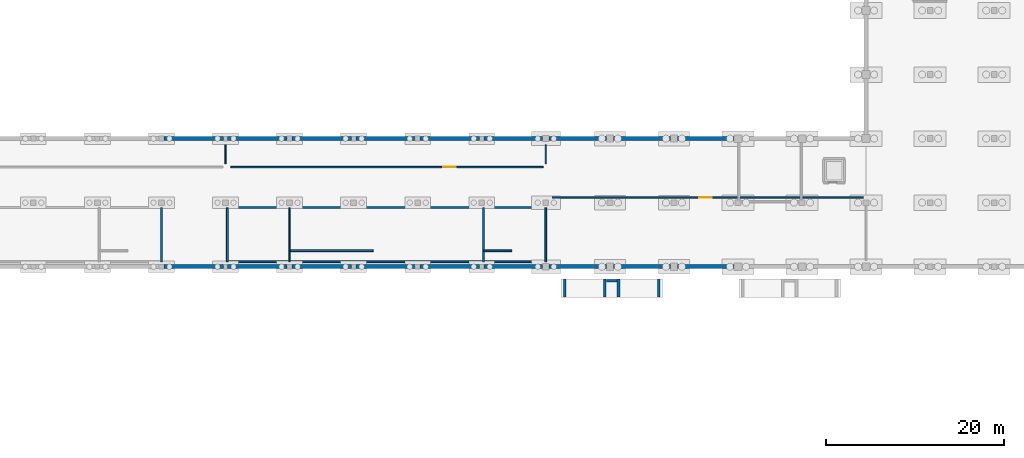
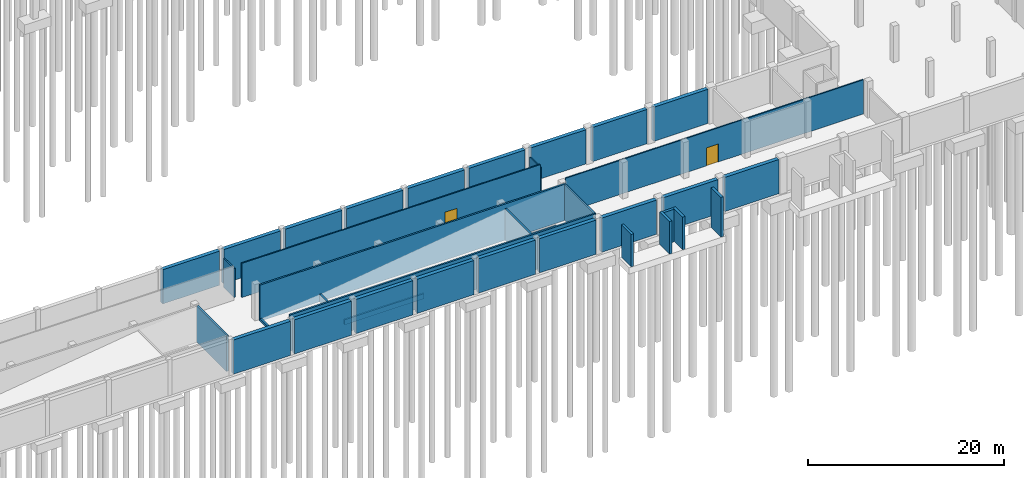
# One storey, part 11 of 18: 36 walls, 2 doors, 2 openings.
"""IFC4 building model written with IfcOpenShell, lengths in metres."""

from ifc_helpers import new_model, si_unit, direction, frame, frame_2d, origin, place, context, subcontext, project, spatial, rectangle, extrude, material, layer, layer_set, type_object, element, fill, save


model = new_model("IFC4")

# Units and contexts
model_context = context("Model", 3, precision=1e-05, world=origin(), true_north=direction((0.0, 1.0)))
body_context = subcontext(model_context, "Body", "Model", "MODEL_VIEW")
ifc_project = project(units=[si_unit("LENGTHUNIT", "METRE"), si_unit("AREAUNIT", "SQUARE_METRE"), si_unit("VOLUMEUNIT", "CUBIC_METRE"), si_unit("PLANEANGLEUNIT", "RADIAN"), si_unit("MASSUNIT", "GRAM", prefix="KILO")], contexts=[model_context])

# Site, building, storey
site_placement = place(None, origin())
site = spatial("IfcSite", under=ifc_project, at=site_placement, CompositionType="ELEMENT")
building_placement = place(site_placement, origin())
building = spatial("IfcBuilding", under=site, at=building_placement, Name="Kangsadwip Square Police Headquarters", CompositionType="ELEMENT")
storey_placement = place(building_placement, frame((0.0, 0.0, -4.5)))
storey = spatial("IfcBuildingStorey", under=building, at=storey_placement, Name="B1", CompositionType="ELEMENT", Elevation=-4.5)

# Walls
ifc_material_1 = material(Name="Concrete M40 (40 MPa)", Category="concrete")
ifc_layer_1 = layer(ifc_material_1, 0.449951171875)
ifc_layer_set_1 = layer_set([ifc_layer_1], Name="Concrete M40 (40 MPa)")
wall_type_1 = type_object("IfcWallType", Name="BasementRetainingWall450", PredefinedType="USERDEFINED", material=ifc_layer_set_1)
for number, where, z_axis, x_axis, name in (
    (1, (65.070068359375, 21.60009765625, 0.0), (0.0, 0.0, 1.0), (1.0, 0.0, 0.0), "Exterior Wall WE-B1-010"),
    (2, (72.2451171875, 21.60009765625, 0.0), (0.0, 0.0, 1.0), (1.0, 0.0, 0.0), "Exterior Wall WE-B1-011"),
):
    element("IfcWall", number, at=place(storey_placement, frame(where, z_axis=z_axis, x_axis=x_axis)), inside=storey, type_object=wall_type_1, Name=name, ObjectType="RETAININGWALL", PredefinedType="USERDEFINED", context=body_context, shape_type="SweptSolid", body=[
        extrude(rectangle(XDim=6.684814453125, YDim=0.449951171875, at=frame_2d((3.34228515625, 0.0))), origin(), (0.0, 0.0, 1.0), 4.25),
    ])
for number, where, z_axis, x_axis, name in (
    (3, (79.469970703125, 21.60009765625, 0.0), (0.0, 0.0, 1.0), (1.0, 0.0, 0.0), "Exterior Wall WE-B1-012"),
    (4, (86.64501953125, 21.60009765625, 0.0), (0.0, 0.0, 1.0), (1.0, 0.0, 0.0), "Exterior Wall WE-B1-013"),
):
    element("IfcWall", number, at=place(storey_placement, frame(where, z_axis=z_axis, x_axis=x_axis)), inside=storey, type_object=wall_type_1, Name=name, ObjectType="RETAININGWALL", PredefinedType="USERDEFINED", context=body_context, shape_type="SweptSolid", body=[
        extrude(rectangle(XDim=6.68505859375, YDim=0.449951171875, at=frame_2d((3.342529296875, 0.0))), origin(), (0.0, 0.0, 1.0), 4.25),
    ])
wall_1_placement = place(storey_placement, frame((93.8701171875, 21.60009765625, 0.0), z_axis=(0.0, 0.0, 1.0), x_axis=(1.0, 0.0, 0.0)))
element("IfcWall", 5, at=wall_1_placement, inside=storey, type_object=wall_type_1, Name="Exterior Wall WE-B1-014", ObjectType="RETAININGWALL", PredefinedType="USERDEFINED", context=body_context, shape_type="SweptSolid", body=[
    extrude(rectangle(XDim=6.684814453125, YDim=0.449951171875, at=frame_2d((3.34228515625, 0.0))), origin(), (0.0, 0.0, 1.0), 4.25),
])
wall_2_placement = place(storey_placement, frame((101.044921875, 21.60009765625, 0.0), z_axis=(0.0, 0.0, 1.0), x_axis=(1.0, 0.0, 0.0)))
element("IfcWall", 6, at=wall_2_placement, inside=storey, type_object=wall_type_1, Name="Exterior Wall WE-B1-015", ObjectType="RETAININGWALL", PredefinedType="USERDEFINED", context=body_context, shape_type="SweptSolid", body=[
    extrude(rectangle(XDim=6.610107421875, YDim=0.449951171875, at=frame_2d((3.30517578125, 0.0))), origin(), (0.0, 0.0, 1.0), 4.25),
])
wall_3_placement = place(storey_placement, frame((108.344970703125, 21.60009765625, 0.0), z_axis=(0.0, 0.0, 1.0), x_axis=(1.0, 0.0, 0.0)))
element("IfcWall", 7, at=wall_3_placement, inside=storey, type_object=wall_type_1, Name="Exterior Wall WE-B1-016", ObjectType="RETAININGWALL", PredefinedType="USERDEFINED", context=body_context, shape_type="SweptSolid", body=[
    extrude(rectangle(XDim=6.4599609375, YDim=0.449951171875, at=frame_2d((3.22998046875, 0.0))), origin(), (0.0, 0.0, 1.0), 4.25),
])
wall_4_placement = place(storey_placement, frame((115.594970703125, 21.60009765625, 0.0), z_axis=(0.0, 0.0, 1.0), x_axis=(1.0, 0.0, 0.0)))
element("IfcWall", 8, at=wall_4_placement, inside=storey, type_object=wall_type_1, Name="Exterior Wall WE-B1-017", ObjectType="RETAININGWALL", PredefinedType="USERDEFINED", context=body_context, shape_type="SweptSolid", body=[
    extrude(rectangle(XDim=6.409912109375, YDim=0.449951171875, at=frame_2d((3.205078125, 0.0))), origin(), (0.0, 0.0, 1.0), 4.25),
])
wall_5_placement = place(storey_placement, frame((122.794921875, 21.60009765625, 0.0), z_axis=(0.0, 0.0, 1.0), x_axis=(1.0, 0.0, 0.0)))
element("IfcWall", 9, at=wall_5_placement, inside=storey, type_object=wall_type_1, Name="Exterior Wall WE-B1-018", ObjectType="RETAININGWALL", PredefinedType="USERDEFINED", context=body_context, shape_type="SweptSolid", body=[
    extrude(rectangle(XDim=6.385009765625, YDim=0.449951171875, at=frame_2d((3.1923828125, 0.0))), origin(), (0.0, 0.0, 1.0), 4.25),
])
for number, where, z_axis, x_axis, name in (
    (10, (65.070068359375, 36.0, 0.0), (0.0, 0.0, 1.0), (1.0, 0.0, 0.0), "Exterior Wall WE-B1-030"),
    (11, (72.2451171875, 36.0, 0.0), (0.0, 0.0, 1.0), (1.0, 0.0, 0.0), "Exterior Wall WE-B1-031"),
):
    element("IfcWall", number, at=place(storey_placement, frame(where, z_axis=z_axis, x_axis=x_axis)), inside=storey, type_object=wall_type_1, Name=name, ObjectType="RETAININGWALL", PredefinedType="USERDEFINED", context=body_context, shape_type="SweptSolid", body=[
        extrude(rectangle(XDim=6.684814453125, YDim=0.449951171875, at=frame_2d((3.34228515625, 0.0))), origin(), (0.0, 0.0, 1.0), 4.25),
    ])
for number, where, z_axis, x_axis, name in (
    (12, (79.469970703125, 36.0, 0.0), (0.0, 0.0, 1.0), (1.0, 0.0, 0.0), "Exterior Wall WE-B1-032"),
    (13, (86.64501953125, 36.0, 0.0), (0.0, 0.0, 1.0), (1.0, 0.0, 0.0), "Exterior Wall WE-B1-033"),
):
    element("IfcWall", number, at=place(storey_placement, frame(where, z_axis=z_axis, x_axis=x_axis)), inside=storey, type_object=wall_type_1, Name=name, ObjectType="RETAININGWALL", PredefinedType="USERDEFINED", context=body_context, shape_type="SweptSolid", body=[
        extrude(rectangle(XDim=6.68505859375, YDim=0.449951171875, at=frame_2d((3.342529296875, 0.0))), origin(), (0.0, 0.0, 1.0), 4.25),
    ])
wall_6_placement = place(storey_placement, frame((93.8701171875, 36.0, 0.0), z_axis=(0.0, 0.0, 1.0), x_axis=(1.0, 0.0, 0.0)))
element("IfcWall", 14, at=wall_6_placement, inside=storey, type_object=wall_type_1, Name="Exterior Wall WE-B1-034", ObjectType="RETAININGWALL", PredefinedType="USERDEFINED", context=body_context, shape_type="SweptSolid", body=[
    extrude(rectangle(XDim=6.684814453125, YDim=0.449951171875, at=frame_2d((3.34228515625, 0.0))), origin(), (0.0, 0.0, 1.0), 4.25),
])
wall_7_placement = place(storey_placement, frame((101.044921875, 36.0, 0.0), z_axis=(0.0, 0.0, 1.0), x_axis=(1.0, 0.0, 0.0)))
element("IfcWall", 15, at=wall_7_placement, inside=storey, type_object=wall_type_1, Name="Exterior Wall WE-B1-035", ObjectType="RETAININGWALL", PredefinedType="USERDEFINED", context=body_context, shape_type="SweptSolid", body=[
    extrude(rectangle(XDim=6.610107421875, YDim=0.449951171875, at=frame_2d((3.30517578125, 0.0))), origin(), (0.0, 0.0, 1.0), 4.25),
])
wall_8_placement = place(storey_placement, frame((108.344970703125, 36.0, 0.0), z_axis=(0.0, 0.0, 1.0), x_axis=(1.0, 0.0, 0.0)))
element("IfcWall", 16, at=wall_8_placement, inside=storey, type_object=wall_type_1, Name="Exterior Wall WE-B1-036", ObjectType="RETAININGWALL", PredefinedType="USERDEFINED", context=body_context, shape_type="SweptSolid", body=[
    extrude(rectangle(XDim=6.4599609375, YDim=0.449951171875, at=frame_2d((3.22998046875, 0.0))), origin(), (0.0, 0.0, 1.0), 4.25),
])
wall_9_placement = place(storey_placement, frame((115.594970703125, 36.0, 0.0), z_axis=(0.0, 0.0, 1.0), x_axis=(1.0, 0.0, 0.0)))
element("IfcWall", 17, at=wall_9_placement, inside=storey, type_object=wall_type_1, Name="Exterior Wall WE-B1-037", ObjectType="RETAININGWALL", PredefinedType="USERDEFINED", context=body_context, shape_type="SweptSolid", body=[
    extrude(rectangle(XDim=6.409912109375, YDim=0.449951171875, at=frame_2d((3.205078125, 0.0))), origin(), (0.0, 0.0, 1.0), 4.25),
])
wall_10_placement = place(storey_placement, frame((122.794921875, 36.0, 0.0), z_axis=(0.0, 0.0, 1.0), x_axis=(1.0, 0.0, 0.0)))
element("IfcWall", 18, at=wall_10_placement, inside=storey, type_object=wall_type_1, Name="Exterior Wall WE-B1-038", ObjectType="RETAININGWALL", PredefinedType="USERDEFINED", context=body_context, shape_type="SweptSolid", body=[
    extrude(rectangle(XDim=6.385009765625, YDim=0.449951171875, at=frame_2d((3.1923828125, 0.0))), origin(), (0.0, 0.0, 1.0), 4.25),
])
ifc_material_2 = material(Name="Autoclaved aerated concrete blockwork masonry", Category="masonry")
ifc_layer_2 = layer(ifc_material_2, 0.14990234375)
ifc_layer_set_2 = layer_set([ifc_layer_2], Name="Autoclaved aerated concrete blockwork masonry")
wall_type_2 = type_object("IfcWallType", Name="BlockPartition150", PredefinedType="PARTITIONING", material=ifc_layer_set_2)
wall_11_placement = place(storey_placement, frame((72.0, 33.14990234375, 0.0), z_axis=(0.0, 0.0, 1.0), x_axis=(0.0, 1.0, 0.0)))
element("IfcWall", 19, at=wall_11_placement, inside=storey, type_object=wall_type_2, Name="Interior Wall WI-B1-0654", PredefinedType="PARTITIONING", context=body_context, shape_type="SweptSolid", body=[
    extrude(rectangle(XDim=2.150146484375, YDim=0.14990234375, at=frame_2d((1.0751953125, 0.0))), origin(), (0.0, 0.0, 1.0), 3.590087890625),
])
wall_12_placement = place(storey_placement, frame((108.0, 33.14990234375, 0.0), z_axis=(0.0, 0.0, 1.0), x_axis=(0.0, 1.0, 0.0)))
element("IfcWall", 20, at=wall_12_placement, inside=storey, type_object=wall_type_2, Name="Interior Wall WI-B1-0656", PredefinedType="PARTITIONING", context=body_context, shape_type="SweptSolid", body=[
    extrude(rectangle(XDim=2.150146484375, YDim=0.14990234375, at=frame_2d((1.0751953125, 0.0))), origin(), (0.0, 0.0, 1.0), 3.5400390625),
])

# Wall, opening, door
wall_13_placement = place(storey_placement, frame((72.60009765625, 32.800048828125, 0.0), z_axis=(0.0, 0.0, 1.0), x_axis=(1.0, 0.0, 0.0)))
wall_13 = element("IfcWall", 21, at=wall_13_placement, inside=storey, type_object=wall_type_2, Name="Interior Wall WI-B1-0657", PredefinedType="PARTITIONING", context=body_context, shape_type="SweptSolid", body=[
    extrude(rectangle(XDim=35.099853515625, YDim=0.14990234375, at=frame_2d((17.5498046875, 0.0))), origin(), (0.0, 0.0, 1.0), 4.25),
])
opening_1_placement = place(wall_13_placement, frame((23.89208984375, 0.0, 0.0)))
opening_1 = element("IfcOpeningElement", 22, at=opening_1_placement, cuts=wall_13, Name="Opening FD-14", PredefinedType="OPENING", context=body_context, shape_type="SweptSolid", body=[
    extrude(rectangle(XDim=1.39990234375, YDim=2.25, at=frame_2d((0.699951171875, 1.125))), frame((0.0, 0.0849609375, 0.0), z_axis=(0.0, -1.0, 0.0), x_axis=(1.0, 0.0, 0.0)), (0.0, 0.0, 1.0), 0.169921875),
])
ifc_material_3 = material(Name="Insulated galvanized steel fire-rated door assembly", Category="steel")
door_type = type_object("IfcDoorType", Name="PlantRoomDoor1400x2250", OperationType="DOUBLE_DOOR_SINGLE_SWING", PredefinedType="DOOR", material=ifc_material_3)
door_1_placement = place(opening_1_placement, origin())
door_1 = element("IfcDoor", 23, at=door_1_placement, inside=storey, type_object=door_type, Name="Interior Door ID-B1-0124", OperationType="DOUBLE_DOOR_SINGLE_SWING", OverallHeight=2.25, OverallWidth=1.39990234375, PredefinedType="DOOR", context=body_context, shape_type="SweptSolid", body=[
    extrude(rectangle(XDim=1.39990234375, YDim=2.25, at=frame_2d((0.699951171875, 1.125))), frame((0.0, 0.02490234375, 0.0), z_axis=(0.0, -1.0, 0.0), x_axis=(1.0, 0.0, 0.0)), (0.0, 0.0, 1.0), 0.050048828125),
])
fill(opening_1, door_1)

wall_14_placement = place(storey_placement, frame((108.699951171875, 29.39990234375, 0.0), z_axis=(0.0, 0.0, 1.0), x_axis=(1.0, 0.0, 0.0)))
wall_14 = element("IfcWall", 24, at=wall_14_placement, inside=storey, type_object=wall_type_2, Name="Interior Wall WI-B1-0659", PredefinedType="PARTITIONING", context=body_context, shape_type="SweptSolid", body=[
    extrude(rectangle(XDim=35.0, YDim=0.14990234375, at=frame_2d((17.5, 0.0))), origin(), (0.0, 0.0, 1.0), 4.25),
])
opening_2_placement = place(wall_14_placement, frame((16.549072265625, 0.0, 0.0)))
opening_2 = element("IfcOpeningElement", 25, at=opening_2_placement, cuts=wall_14, Name="Opening FD-14", PredefinedType="OPENING", context=body_context, shape_type="SweptSolid", body=[
    extrude(rectangle(XDim=1.39990234375, YDim=2.25, at=frame_2d((0.699951171875, 1.125))), frame((0.0, 0.0849609375, 0.0), z_axis=(0.0, -1.0, 0.0), x_axis=(1.0, 0.0, 0.0)), (0.0, 0.0, 1.0), 0.169921875),
])
door_2_placement = place(opening_2_placement, origin())
door_2 = element("IfcDoor", 26, at=door_2_placement, inside=storey, type_object=door_type, Name="Interior Door ID-B1-0125", OperationType="DOUBLE_DOOR_SINGLE_SWING", OverallHeight=2.25, OverallWidth=1.39990234375, PredefinedType="DOOR", context=body_context, shape_type="SweptSolid", body=[
    extrude(rectangle(XDim=1.39990234375, YDim=2.25, at=frame_2d((0.699951171875, 1.125))), frame((0.0, 0.02490234375, 0.0), z_axis=(0.0, -1.0, 0.0), x_axis=(1.0, 0.0, 0.0)), (0.0, 0.0, 1.0), 0.050048828125),
])
fill(opening_2, door_2)

# Walls
ifc_material_4 = material(Name="Concrete M40 (40 MPa)", Category="concrete")
ifc_layer_3 = layer(ifc_material_4, 0.199951171875)
ifc_layer_set_3 = layer_set([ifc_layer_3], Name="Concrete M40 (40 MPa)")
wall_type_3 = type_object("IfcWallType", Name="CoreShearWall200", PredefinedType="SHEAR", material=ifc_layer_set_3)
wall_15_placement = place(storey_placement, frame((64.800048828125, 22.14990234375, 0.0), z_axis=(0.0, 0.0, 1.0), x_axis=(0.0, 1.0, 0.0)))
element("IfcWall", 27, at=wall_15_placement, inside=storey, type_object=wall_type_3, Name="Ramp Support Pier Wall 64", PredefinedType="SHEAR", context=body_context, shape_type="SweptSolid", body=[
    extrude(rectangle(XDim=6.10009765625, YDim=0.199951171875, at=frame_2d((3.050048828125, 0.0))), origin(), (0.0, 0.0, 1.0), 4.47998046875),
])
for number, where, z_axis, x_axis, name in (
    (28, (72.10009765625, 22.14990234375, 0.0), (0.0, 0.0, 1.0), (1.0, 0.0, 0.0), "Interior Wall WI-B1-0005"),
    (29, (72.10009765625, 28.25, 0.0), (0.0, 0.0, 1.0), (1.0, 0.0, 0.0), "Interior Wall WI-B1-0007"),
):
    element("IfcWall", number, at=place(storey_placement, frame(where, z_axis=z_axis, x_axis=x_axis)), inside=storey, type_object=wall_type_3, Name=name, PredefinedType="SHEAR", context=body_context, shape_type="SweptSolid", body=[
        extrude(rectangle(XDim=35.89990234375, YDim=0.199951171875, at=frame_2d((17.949951171875, 0.0))), origin(), (0.0, 0.0, 1.0), 4.5),
    ])
wall_16_placement = place(storey_placement, frame((79.25, 23.39990234375, 0.0), z_axis=(0.0, 0.0, 1.0), x_axis=(1.0, 0.0, 0.0)))
element("IfcWall", 30, at=wall_16_placement, inside=storey, type_object=wall_type_3, Name="Ramp Spine Support Wall WI-RMPSP-72-S2", PredefinedType="SHEAR", context=body_context, shape_type="SweptSolid", body=[
    extrude(rectangle(XDim=9.35009765625, YDim=0.199951171875, at=frame_2d((4.675048828125, 0.0))), origin(), (0.0, 0.0, 1.0), 0.639892578125),
])
wall_17_placement = place(storey_placement, frame((101.050048828125, 23.39990234375, 0.0), z_axis=(0.0, 0.0, 1.0), x_axis=(1.0, 0.0, 0.0)))
element("IfcWall", 31, at=wall_17_placement, inside=storey, type_object=wall_type_3, Name="Ramp Spine Support Wall WI-RMPSP-72-S3", PredefinedType="SHEAR", context=body_context, shape_type="SweptSolid", body=[
    extrude(rectangle(XDim=3.14990234375, YDim=0.199951171875, at=frame_2d((1.574951171875, 0.0))), origin(), (0.0, 0.0, 1.0), 3.6201171875),
])
wall_18_placement = place(storey_placement, frame((72.199951171875, 22.14990234375, 0.0), z_axis=(0.0, 0.0, 1.0), x_axis=(0.0, 1.0, 0.0)))
element("IfcWall", 32, at=wall_18_placement, inside=storey, type_object=wall_type_3, Name="Ramp Support Pier Wall 72", PredefinedType="SHEAR", context=body_context, shape_type="SweptSolid", body=[
    extrude(rectangle(XDim=6.10009765625, YDim=0.199951171875, at=frame_2d((3.050048828125, 0.0))), origin(), (0.0, 0.0, 1.0), 0.340087890625),
])
wall_19_placement = place(storey_placement, frame((79.199951171875, 22.14990234375, 0.0), z_axis=(0.0, 0.0, 1.0), x_axis=(0.0, 1.0, 0.0)))
element("IfcWall", 33, at=wall_19_placement, inside=storey, type_object=wall_type_3, Name="Ramp Support Pier Wall 79", PredefinedType="SHEAR", context=body_context, shape_type="SweptSolid", body=[
    extrude(rectangle(XDim=6.10009765625, YDim=0.199951171875, at=frame_2d((3.050048828125, 0.0))), origin(), (0.0, 0.0, 1.0), 0.93994140625),
])
wall_20_placement = place(storey_placement, frame((101.0, 22.14990234375, 0.0), z_axis=(0.0, 0.0, 1.0), x_axis=(0.0, 1.0, 0.0)))
element("IfcWall", 34, at=wall_20_placement, inside=storey, type_object=wall_type_3, Name="Ramp Support Pier Wall 101", PredefinedType="SHEAR", context=body_context, shape_type="SweptSolid", body=[
    extrude(rectangle(XDim=6.10009765625, YDim=0.199951171875, at=frame_2d((3.050048828125, 0.0))), origin(), (0.0, 0.0, 1.0), 3.919921875),
])
wall_21_placement = place(storey_placement, frame((108.0, 22.14990234375, 0.0), z_axis=(0.0, 0.0, 1.0), x_axis=(0.0, 1.0, 0.0)))
element("IfcWall", 35, at=wall_21_placement, inside=storey, type_object=wall_type_3, Name="Ramp Support Pier Wall 108", PredefinedType="SHEAR", context=body_context, shape_type="SweptSolid", body=[
    extrude(rectangle(XDim=6.10009765625, YDim=0.199951171875, at=frame_2d((3.050048828125, 0.0))), origin(), (0.0, 0.0, 1.0), 4.47998046875),
])
ifc_material_5 = material(Name="Concrete M35 (35 MPa)", Category="concrete")
ifc_layer_4 = layer(ifc_material_5, 0.300048828125)
ifc_layer_set_4 = layer_set([ifc_layer_4], Name="Concrete M35 (35 MPa)")
wall_type_4 = type_object("IfcWallType", Name="RampSupportWall300", PredefinedType="SHEAR", material=ifc_layer_set_4)
wall_22_placement = place(storey_placement, frame((110.1201171875, 18.199951171875, -0.449951171875), z_axis=(0.0, 0.0, 1.0), x_axis=(0.0, 1.0, 0.0)))
element("IfcWall", 36, at=wall_22_placement, inside=storey, type_object=wall_type_4, Name="Accessible Ramp Support Wall WR-AR-03-1", PredefinedType="SHEAR", context=body_context, shape_type="SweptSolid", body=[
    extrude(rectangle(XDim=2.0, YDim=0.300048828125, at=frame_2d((1.0, 0.0))), origin(), (0.0, 0.0, 1.0), 4.030029296875),
])
for number, where, z_axis, x_axis, name in (
    (37, (114.6201171875, 18.199951171875, -0.449951171875), (0.0, 0.0, 1.0), (0.0, 1.0, 0.0), "Accessible Ramp Support Wall WR-AR-03-2"),
    (38, (116.179931640625, 18.199951171875, -0.449951171875), (0.0, 0.0, 1.0), (0.0, 1.0, 0.0), "Accessible Ramp Support Wall WR-AR-03-3"),
):
    element("IfcWall", number, at=place(storey_placement, frame(where, z_axis=z_axis, x_axis=x_axis)), inside=storey, type_object=wall_type_4, Name=name, PredefinedType="SHEAR", context=body_context, shape_type="SweptSolid", body=[
        extrude(rectangle(XDim=2.0, YDim=0.300048828125, at=frame_2d((1.0, 0.0))), origin(), (0.0, 0.0, 1.0), 4.050048828125),
    ])
wall_23_placement = place(storey_placement, frame((114.800048828125, 20.02001953125, -0.449951171875), z_axis=(0.0, 0.0, 1.0), x_axis=(1.0, 0.0, 0.0)))
element("IfcWall", 39, at=wall_23_placement, inside=storey, type_object=wall_type_4, Name="Accessible Ramp Support Wall WR-AR-03-4", PredefinedType="SHEAR", context=body_context, shape_type="SweptSolid", body=[
    extrude(rectangle(XDim=1.199951171875, YDim=0.300048828125, at=frame_2d((0.60009765625, 0.0))), origin(), (0.0, 0.0, 1.0), 4.050048828125),
])
wall_24_placement = place(storey_placement, frame((120.679931640625, 18.199951171875, -0.449951171875), z_axis=(0.0, 0.0, 1.0), x_axis=(0.0, 1.0, 0.0)))
element("IfcWall", 40, at=wall_24_placement, inside=storey, type_object=wall_type_4, Name="Accessible Ramp Support Wall WR-AR-03-5", PredefinedType="SHEAR", context=body_context, shape_type="SweptSolid", body=[
    extrude(rectangle(XDim=2.0, YDim=0.300048828125, at=frame_2d((1.0, 0.0))), origin(), (0.0, 0.0, 1.0), 4.929931640625),
])

save(model, "model.ifc")
